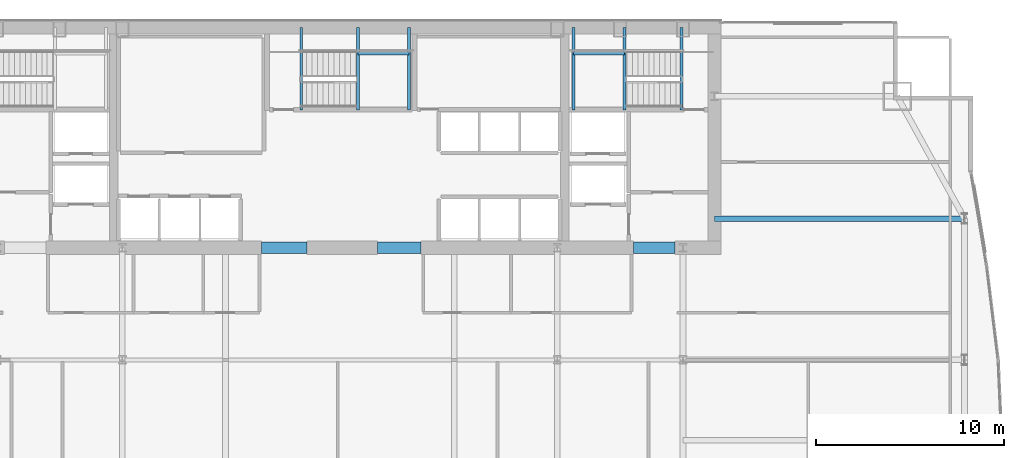
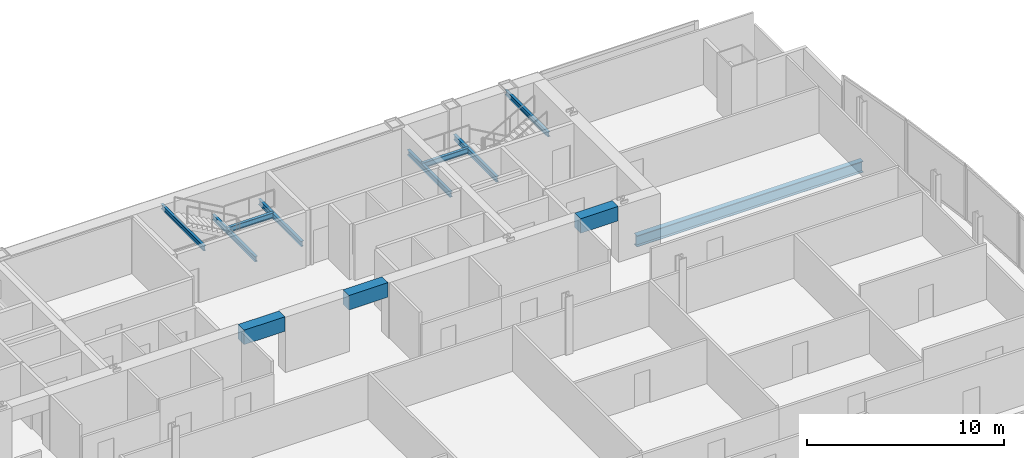
# One storey, part 19 of 31: 12 beams.
"""IFC4 building model written with IfcOpenShell, lengths in metres."""

import ifcopenshell
import ifcopenshell.guid

model = None  # the IFC model being written
_history = None  # IfcOwnerHistory: only IFC2X3 demands one
_inside = {}  # id of a spatial element -> (the spatial element, [elements in it])
_under = {}  # id of a project, library or spatial element -> (it, [spatial elements below it])
_declared = {}  # id of a project -> (the project, [libraries it declares])
_typed = {}  # id of a type object -> (the type object, [elements of that type])
_made_of = {}  # id of a material, layer set ... -> (it, [elements and type objects made of it])


def new_model(schema):
    """Start an empty IFC model of exactly this schema.

    Asked for "IFC4X3", IfcOpenShell would pick the latest addendum, in which some entities
    have other attributes; the version numbers below select the first issue.
    IFC2X3 requires an IfcOwnerHistory on every rooted entity: one is made here for all.
    """
    global model, _history
    if schema == "IFC4X3":
        model = ifcopenshell.file(schema_version=(4, 3, 0, 0))
    else:
        model = ifcopenshell.file(schema=schema)
    _inside.clear()
    _under.clear()
    _declared.clear()
    _typed.clear()
    _made_of.clear()
    _history = None
    if model.schema == "IFC2X3":
        org = make("IfcOrganization", Name="unknown")
        user = make(
            "IfcPersonAndOrganization",
            ThePerson=make("IfcPerson", FamilyName="unknown"),
            TheOrganization=org,
        )
        app = make(
            "IfcApplication",
            ApplicationDeveloper=org,
            Version="unknown",
            ApplicationFullName="unknown",
            ApplicationIdentifier="unknown",
        )
        _history = make(
            "IfcOwnerHistory",
            OwningUser=user,
            OwningApplication=app,
            ChangeAction="ADDED",
            CreationDate=0,
        )
    return model


def make(cls, **values):
    """One entity of the class cls with the attributes given. An attribute that is None is left unset."""
    return model.create_entity(
        cls, **{name: value for name, value in values.items() if value is not None}
    )


def rooted(cls, **values):
    """An entity with a GlobalId (a new one), such as an element, a storey or a relation."""
    return make(cls, GlobalId=ifcopenshell.guid.new(), OwnerHistory=_history, **values)


def si_unit(unit_type, name, prefix=None):
    """IfcSIUnit, for example si_unit("LENGTHUNIT", "METRE", prefix="MILLI")."""
    return make("IfcSIUnit", UnitType=unit_type, Prefix=prefix, Name=name)


def assignment(units):
    """IfcUnitAssignment: the units of a project."""
    return None if units is None else make("IfcUnitAssignment", Units=units)


def point(xyz):
    """IfcCartesianPoint."""
    return None if xyz is None else make("IfcCartesianPoint", Coordinates=xyz)


def direction(xyz):
    """IfcDirection."""
    return None if xyz is None else make("IfcDirection", DirectionRatios=xyz)


def frame(location, z_axis=None, x_axis=None):
    """IfcAxis2Placement3D, a coordinate frame: its origin and axes. An axis left out is left unset."""
    return make(
        "IfcAxis2Placement3D",
        Location=point(location),
        Axis=direction(z_axis),
        RefDirection=direction(x_axis),
    )


def frame_2d(location, x_axis=None):
    """IfcAxis2Placement2D, a coordinate frame in the plane: its origin and x axis."""
    return make(
        "IfcAxis2Placement2D", Location=point(location), RefDirection=direction(x_axis)
    )


def origin():
    """The frame at (0, 0, 0) with its axes left unset."""
    return frame((0.0, 0.0, 0.0))


def origin_2d():
    """The frame at (0, 0) in the plane with its x axis left unset."""
    return frame_2d((0.0, 0.0))


def place(relative_to, where):
    """IfcLocalPlacement: puts the frame where relative to a parent placement (None: the world)."""
    return make(
        "IfcLocalPlacement", PlacementRelTo=relative_to, RelativePlacement=where
    )


def context(
    kind, dimensions, precision=None, world=None, true_north=None, identifier=None
):
    """IfcGeometricRepresentationContext, for example the 3D "Model" context."""
    return make(
        "IfcGeometricRepresentationContext",
        ContextIdentifier=identifier,
        ContextType=kind,
        CoordinateSpaceDimension=dimensions,
        Precision=precision,
        WorldCoordinateSystem=world,
        TrueNorth=true_north,
    )


def subcontext(parent, identifier, kind, view, scale=None):
    """IfcGeometricRepresentationSubContext, for example "Body" below "Model"."""
    return make(
        "IfcGeometricRepresentationSubContext",
        ContextIdentifier=identifier,
        ContextType=kind,
        ParentContext=parent,
        TargetScale=scale,
        TargetView=view,
    )


def project(units=None, contexts=None):
    """IfcProject with its units and contexts."""
    return rooted(
        "IfcProject",
        Name="project",
        RepresentationContexts=contexts,
        UnitsInContext=assignment(units),
    )


def spatial(cls, under=None, at=None, **own):
    """A site, building, storey or space (cls), placed at a placement, below another one or the project."""
    s = rooted(cls, ObjectPlacement=at, **own)
    if under is not None:
        _under.setdefault(under.id(), (under, []))[1].append(s)
    return s


def profile(cls, at=None, kind="AREA", **sizes):
    """A parametric profile (cls). Its sizes go by their IFC names, for example OverallWidth=200.0."""
    return make(cls, ProfileType=kind, Position=at, **sizes)


def rectangle(**sizes):
    """IfcRectangleProfileDef."""
    return profile("IfcRectangleProfileDef", **sizes)


def i_section(**sizes):
    """IfcIShapeProfileDef."""
    return profile("IfcIShapeProfileDef", **sizes)


def extrude(swept, where, along, depth):
    """IfcExtrudedAreaSolid: the profile swept, set in the frame where, extruded along a direction by depth."""
    return make(
        "IfcExtrudedAreaSolid",
        SweptArea=swept,
        Position=where,
        ExtrudedDirection=direction(along),
        Depth=depth,
    )


def shape(context_of_items, identifier, shape_type, items):
    """IfcShapeRepresentation: the items that make up one representation, for example the "Body"."""
    return make(
        "IfcShapeRepresentation",
        ContextOfItems=context_of_items,
        RepresentationIdentifier=identifier,
        RepresentationType=shape_type,
        Items=items,
    )


def material(Name=None, Category=None):
    """IfcMaterial."""
    return make("IfcMaterial", Name=Name, Category=Category)


def material_profile(
    of_material, cross_section, Name=None, Category=None, Priority=None
):
    """IfcMaterialProfile: a cross section and its material."""
    return make(
        "IfcMaterialProfile",
        Name=Name,
        Material=of_material,
        Profile=cross_section,
        Priority=Priority,
        Category=Category,
    )


def profile_set(profiles, Name=None, composite=None):
    """IfcMaterialProfileSet."""
    return make(
        "IfcMaterialProfileSet",
        Name=Name,
        MaterialProfiles=profiles,
        CompositeProfile=composite,
    )


def made_of(thing, what):
    """Note that an element or type object is made of a material, layer set ...; save() writes the relation."""
    if what is not None:
        _made_of.setdefault(what.id(), (what, []))[1].append(thing)
    return thing


def type_object(cls, material=None, **own):
    """A type object (cls), such as IfcWallType, which elements share."""
    return made_of(rooted(cls, **own), material)


def element(
    cls,
    number,
    at=None,
    inside=None,
    cuts=None,
    type_object=None,
    material=None,
    context=None,
    identifier="Body",
    shape_type=None,
    held_by="IfcProductDefinitionShape",
    body=None,
    shapes=None,
    **own,
):
    """One element of the class cls, such as IfcWall. Its Tag is "e" and its number.

    at: its placement. inside: the storey or other place that contains it. cuts: it is an
    opening in that element (IfcRelVoidsElement). A single representation is given by context,
    identifier, shape_type and body (its items); several are given by shapes. held_by: the class
    of the entity that holds the representations. save() writes the other relations.
    """
    e = rooted(cls, Tag="e%d" % number, ObjectPlacement=at, **own)
    if body is not None:
        shapes = [shape(context, identifier, shape_type, body)]
    if shapes is not None:
        e.Representation = make(held_by, Representations=shapes)
    if inside is not None:
        _inside.setdefault(inside.id(), (inside, []))[1].append(e)
    if cuts is not None:
        rooted(
            "IfcRelVoidsElement", RelatingBuildingElement=cuts, RelatedOpeningElement=e
        )
    if type_object is not None:
        _typed.setdefault(type_object.id(), (type_object, []))[1].append(e)
    return made_of(e, material)


def aggregate(whole, parts):
    """IfcRelAggregates: a whole, such as a stair, and the parts it consists of."""
    return rooted("IfcRelAggregates", RelatingObject=whole, RelatedObjects=parts)


def save(model, path):
    """Write the relations noted so far, then the file.

    IfcRelAggregates (storeys below a building ...), IfcRelContainedInSpatialStructure (elements
    in a storey), IfcRelDefinesByType, IfcRelAssociatesMaterial and IfcRelDeclares: one each for
    every whole, place, type object, material and project.
    """
    for whole, parts in _under.values():
        aggregate(whole, parts)
    for where, things in _inside.values():
        rooted(
            "IfcRelContainedInSpatialStructure",
            RelatedElements=things,
            RelatingStructure=where,
        )
    for kind, things in _typed.values():
        rooted("IfcRelDefinesByType", RelatedObjects=things, RelatingType=kind)
    for what, things in _made_of.values():
        rooted("IfcRelAssociatesMaterial", RelatedObjects=things, RelatingMaterial=what)
    for by, libraries in _declared.values():
        rooted("IfcRelDeclares", RelatingContext=by, RelatedDefinitions=libraries)
    model.write(path)


model = new_model("IFC4")

# Units and contexts
model_context = context("Model", 3, precision=1e-05, world=origin(), true_north=direction((0.0, 1.0)))
body_context = subcontext(model_context, "Body", "Model", "MODEL_VIEW")
ifc_project = project(units=[si_unit("LENGTHUNIT", "METRE"), si_unit("AREAUNIT", "SQUARE_METRE"), si_unit("VOLUMEUNIT", "CUBIC_METRE"), si_unit("PLANEANGLEUNIT", "RADIAN"), si_unit("MASSUNIT", "GRAM", prefix="KILO")], contexts=[model_context])

# Site, building, storey
site_placement = place(None, origin())
site = spatial("IfcSite", under=ifc_project, at=site_placement, CompositionType="ELEMENT")
building_placement = place(site_placement, origin())
building = spatial("IfcBuilding", under=site, at=building_placement, Name="Khoronbel Lancet Exchange", CompositionType="ELEMENT")
storey_placement = place(building_placement, frame((0.0, 0.0, 121.800048828125)))
storey = spatial("IfcBuildingStorey", under=building, at=storey_placement, Name="L29", CompositionType="ELEMENT", Elevation=121.800048828125)

# Beams
ifc_material_1 = material(Name="Steel S355", Category="steel")
ifc_material_profile_1 = material_profile(ifc_material_1, i_section(OverallWidth=0.300048828125, OverallDepth=0.699951171875, WebThickness=0.01708984375, FlangeThickness=0.031982421875, at=origin_2d()), Name="HEB 700")
ifc_profile_set_1 = profile_set([ifc_material_profile_1], Name="Steel S355")
beam_type_1 = type_object("IfcBeamType", Name="BM-BG3", PredefinedType="BEAM", material=ifc_profile_set_1)
beam_1_placement = place(storey_placement, frame((56.35009765625, 43.199951171875, -0.510009765625), z_axis=(1.0, 0.0, 0.0), x_axis=(0.0, 1.0, 0.0)))
element("IfcBeam", 1, at=beam_1_placement, inside=storey, type_object=beam_type_1, Name="Level L29 east lens tie girder LG3E", PredefinedType="BEAM", context=body_context, shape_type="SweptSolid", body=[
    extrude(i_section(OverallWidth=0.300048828125, OverallDepth=0.699951171875, WebThickness=0.01708984375, FlangeThickness=0.031982421875, at=origin_2d()), origin(), (0.0, 0.0, 1.0), 13.27978515625),
])
ifc_material_profile_2 = material_profile(ifc_material_1, i_section(OverallWidth=0.159912109375, OverallDepth=0.330078125, WebThickness=0.007568359375, FlangeThickness=0.011474609375, at=origin_2d()), Name="IPE 330")
ifc_profile_set_2 = profile_set([ifc_material_profile_2], Name="Steel S355")
beam_type_2 = type_object("IfcBeamType", Name="BM-BJ7", PredefinedType="JOIST", material=ifc_profile_set_2)
for number, where, z_axis, x_axis, name in (
    (2, (51.580078125, 48.97998046875, 1.43505859375), (0.0, 1.0, 0.0), (-1.0, 0.0, 0.0), "Level L29 stair ST2 landing bearer beam 1"),
    (3, (48.8701171875, 48.97998046875, 1.43505859375), (0.0, 1.0, 0.0), (-1.0, 0.0, 0.0), "Level L29 stair ST2 rear landing bearer beam 1"),
):
    element("IfcBeam", number, at=place(storey_placement, frame(where, z_axis=z_axis, x_axis=x_axis)), inside=storey, type_object=beam_type_2, Name=name, PredefinedType="JOIST", context=body_context, shape_type="SweptSolid", body=[
        extrude(i_section(OverallWidth=0.159912109375, OverallDepth=0.330078125, WebThickness=0.007568359375, FlangeThickness=0.011474609375, at=origin_2d()), origin(), (0.0, 0.0, 1.0), 4.3701171875),
    ])
beam_2_placement = place(storey_placement, frame((48.8701171875, 51.97998046875, 1.43505859375), z_axis=(1.0, 0.0, 0.0), x_axis=(0.0, 1.0, 0.0)))
element("IfcBeam", 4, at=beam_2_placement, inside=storey, type_object=beam_type_2, Name="Level L29 stair ST2 landing cross trimmer beam 1", PredefinedType="JOIST", context=body_context, shape_type="SweptSolid", body=[
    extrude(i_section(OverallWidth=0.159912109375, OverallDepth=0.330078125, WebThickness=0.007568359375, FlangeThickness=0.011474609375, at=origin_2d()), origin(), (0.0, 0.0, 1.0), 2.7099609375),
])
for number, where, z_axis, x_axis, name in (
    (5, (37.419921875, 48.97998046875, 1.43505859375), (0.0, 1.0, 0.0), (-1.0, 0.0, 0.0), "Level L29 stair ST3 landing bearer beam 1"),
    (6, (40.1298828125, 48.97998046875, 1.43505859375), (0.0, 1.0, 0.0), (-1.0, 0.0, 0.0), "Level L29 stair ST3 rear landing bearer beam 1"),
):
    element("IfcBeam", number, at=place(storey_placement, frame(where, z_axis=z_axis, x_axis=x_axis)), inside=storey, type_object=beam_type_2, Name=name, PredefinedType="JOIST", context=body_context, shape_type="SweptSolid", body=[
        extrude(i_section(OverallWidth=0.159912109375, OverallDepth=0.330078125, WebThickness=0.007568359375, FlangeThickness=0.011474609375, at=origin_2d()), origin(), (0.0, 0.0, 1.0), 4.3701171875),
    ])
beam_3_placement = place(storey_placement, frame((37.419921875, 51.97998046875, 1.43505859375), z_axis=(1.0, 0.0, 0.0), x_axis=(0.0, 1.0, 0.0)))
element("IfcBeam", 7, at=beam_3_placement, inside=storey, type_object=beam_type_2, Name="Level L29 stair ST3 landing cross trimmer beam 1", PredefinedType="JOIST", context=body_context, shape_type="SweptSolid", body=[
    extrude(i_section(OverallWidth=0.159912109375, OverallDepth=0.330078125, WebThickness=0.007568359375, FlangeThickness=0.011474609375, at=origin_2d()), origin(), (0.0, 0.0, 1.0), 2.7099609375),
])
ifc_material_profile_3 = material_profile(ifc_material_1, i_section(OverallWidth=0.14990234375, OverallDepth=0.300048828125, WebThickness=0.007080078125, FlangeThickness=0.0107421875, at=origin_2d()), Name="IPE 300")
ifc_profile_set_3 = profile_set([ifc_material_profile_3], Name="Steel S355")
beam_type_3 = type_object("IfcBeamType", Name="BM-BJ8", PredefinedType="JOIST", material=ifc_profile_set_3)
for number, where, z_axis, x_axis, name in (
    (8, (54.60009765625, 48.97998046875, 3.159912109375), (0.0, 1.0, 0.0), (-1.0, 0.0, 0.0), "Level L29 stair ST2 upper-flight arrival trimmer beam"),
    (9, (34.39990234375, 48.97998046875, 3.159912109375), (0.0, 1.0, 0.0), (-1.0, 0.0, 0.0), "Level L29 stair ST3 upper-flight arrival trimmer beam"),
):
    element("IfcBeam", number, at=place(storey_placement, frame(where, z_axis=z_axis, x_axis=x_axis)), inside=storey, type_object=beam_type_3, Name=name, PredefinedType="JOIST", context=body_context, shape_type="SweptSolid", body=[
        extrude(i_section(OverallWidth=0.14990234375, OverallDepth=0.300048828125, WebThickness=0.007080078125, FlangeThickness=0.0107421875, at=origin_2d()), origin(), (0.0, 0.0, 1.0), 4.3701171875),
    ])
ifc_material_2 = material(Name="Concrete C80/95", Category="concrete")
ifc_material_profile_4 = material_profile(ifc_material_2, rectangle(XDim=0.60009765625, YDim=0.89990234375, at=origin_2d()), Name="RC 600x900")
ifc_profile_set_4 = profile_set([ifc_material_profile_4], Name="Concrete C80/95")
beam_type_4 = type_object("IfcBeamType", Name="BM-BL1", PredefinedType="LINTEL", material=ifc_profile_set_4)
beam_4_placement = place(storey_placement, frame((32.300048828125, 41.64990234375, 2.989990234375), z_axis=(1.0, 0.0, 0.0), x_axis=(0.0, 1.0, 0.0)))
element("IfcBeam", 10, at=beam_4_placement, inside=storey, type_object=beam_type_4, Name="Level L29 rear core coupling lintel L2", PredefinedType="LINTEL", context=body_context, shape_type="SweptSolid", body=[
    extrude(rectangle(XDim=0.60009765625, YDim=0.89990234375, at=origin_2d()), origin(), (0.0, 0.0, 1.0), 2.39990234375),
])
beam_5_placement = place(storey_placement, frame((38.449951171875, 41.64990234375, 2.989990234375), z_axis=(1.0, 0.0, 0.0), x_axis=(0.0, 1.0, 0.0)))
element("IfcBeam", 11, at=beam_5_placement, inside=storey, type_object=beam_type_4, Name="Level L29 rear core coupling lintel L3", PredefinedType="LINTEL", context=body_context, shape_type="SweptSolid", body=[
    extrude(rectangle(XDim=0.60009765625, YDim=0.89990234375, at=origin_2d()), origin(), (0.0, 0.0, 1.0), 2.300048828125),
])
beam_6_placement = place(storey_placement, frame((52.050048828125, 41.64990234375, 2.989990234375), z_axis=(1.0, 0.0, 0.0), x_axis=(0.0, 1.0, 0.0)))
element("IfcBeam", 12, at=beam_6_placement, inside=storey, type_object=beam_type_4, Name="Level L29 rear core coupling lintel L4", PredefinedType="LINTEL", context=body_context, shape_type="SweptSolid", body=[
    extrude(rectangle(XDim=0.60009765625, YDim=0.89990234375, at=origin_2d()), origin(), (0.0, 0.0, 1.0), 2.199951171875),
])

save(model, "model.ifc")
